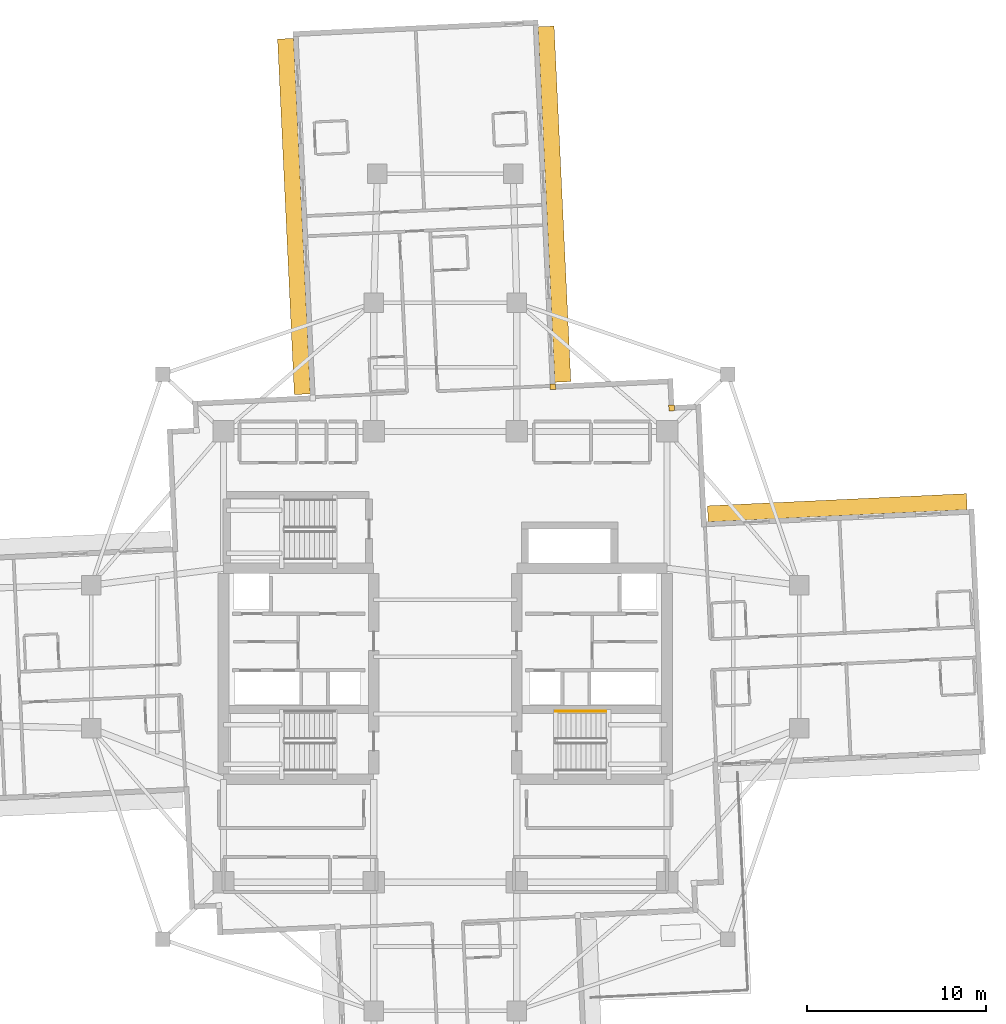
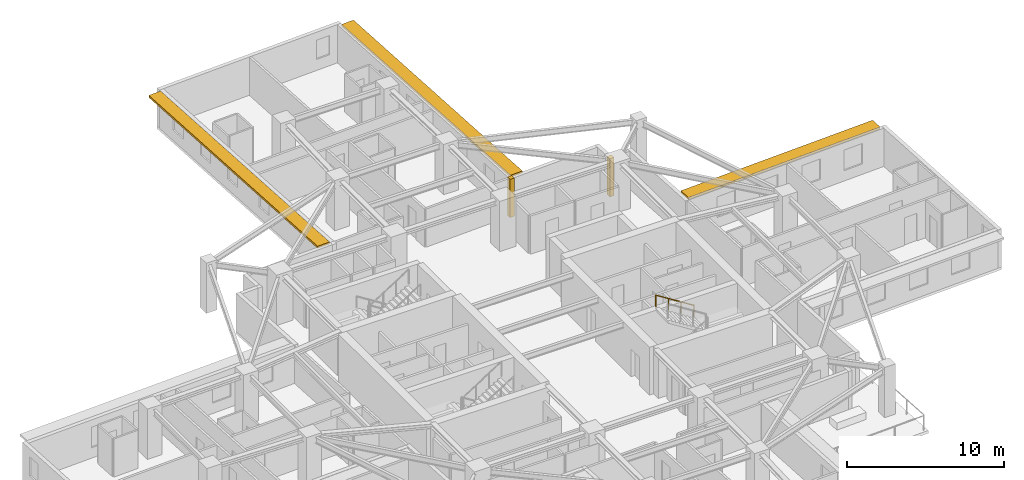
# One storey, part 14 of 14: 3 shading devices, 2 coverings, 1 railing.
"""IFC4 building model written with IfcOpenShell, lengths in metres."""

from ifc_helpers import new_model, si_unit, direction, frame, origin, origin_2d, place, context, subcontext, project, spatial, rectangle, circle, extrude, material, layer, layer_set, type_object, element, save


model = new_model("IFC4")

# Units and contexts
model_context = context("Model", 3, precision=1e-05, world=origin(), true_north=direction((0.0, 1.0)))
body_context = subcontext(model_context, "Body", "Model", "MODEL_VIEW")
ifc_project = project(units=[si_unit("LENGTHUNIT", "METRE"), si_unit("AREAUNIT", "SQUARE_METRE"), si_unit("VOLUMEUNIT", "CUBIC_METRE"), si_unit("PLANEANGLEUNIT", "RADIAN"), si_unit("MASSUNIT", "GRAM", prefix="KILO")], contexts=[model_context])

# Site, building, storey
site_placement = place(None, origin())
site = spatial("IfcSite", under=ifc_project, at=site_placement, CompositionType="ELEMENT")
building_placement = place(site_placement, origin())
building = spatial("IfcBuilding", under=site, at=building_placement, Name="Qingluan Cross Belvedere", CompositionType="ELEMENT")
storey_placement = place(building_placement, frame((0.0, 0.0, 116.39990234375)))
storey = spatial("IfcBuildingStorey", under=building, at=storey_placement, Name="L29", CompositionType="ELEMENT", Elevation=116.39990234375)

# Coverings
ifc_material_1 = material(Name="Precast concrete C45", Category="concrete")
ifc_layer_1 = layer(ifc_material_1, 0.1201171875, Name="ConcreteSpandrelCladding_120")
ifc_layer_set_1 = layer_set([ifc_layer_1], Name="Precast concrete C45")
covering_type = type_object("IfcCoveringType", Name="ConcreteSpandrelCladding_120", PredefinedType="CLADDING", material=ifc_layer_set_1)
for number, where, z_axis, x_axis, name in (
    (1, (12.65869140625, 13.911865234375, 0.0), (0.0, 0.0, 1.0), (0.998889874962, 0.04710645071, 0.0), "Corner closure L29-NE1"),
    (2, (6.015380859375, 15.10009765625, 0.0), (0.0, 0.0, 1.0), (0.998889874962, 0.04710645071, 0.0), "Corner closure L29-NE2"),
):
    element("IfcCovering", number, at=place(storey_placement, frame(where, z_axis=z_axis, x_axis=x_axis)), inside=storey, type_object=covering_type, Name=name, PredefinedType="CLADDING", context=body_context, shape_type="SweptSolid", body=[
        extrude(rectangle(XDim=0.320068359375, YDim=0.320068359375, at=origin_2d()), origin(), (0.0, 0.0, 1.0), 2.969970703125),
    ])

# Shading devices
ifc_material_2 = material(Name="Precast concrete C45", Category="concrete")
ifc_layer_2 = layer(ifc_material_2, 0.159912109375, Name="ConcreteSunshadeBand_900")
ifc_layer_set_2 = layer_set([ifc_layer_2], Name="Precast concrete C45")
shading_device_type = type_object("IfcShadingDeviceType", Name="ConcreteSunshadeBand_900", PredefinedType="USERDEFINED", material=ifc_layer_set_2)
shading_device_placement = place(storey_placement, frame((21.921875, 8.331787109375, 2.7900390625), z_axis=(0.0, 0.0, 1.0), x_axis=(-0.998889750114, -0.047109098032, 0.0)))
element("IfcShadingDevice", 3, at=shading_device_placement, inside=storey, type_object=shading_device_type, Name="Concrete SUNSHADE L29-EB", ObjectType="SUNSHADE", PredefinedType="USERDEFINED", context=body_context, shape_type="SweptSolid", body=[
    extrude(rectangle(XDim=14.5, YDim=0.89990234375, at=origin_2d()), origin(), (0.0, 0.0, 1.0), 0.159912109375),
])
for number, where, z_axis, x_axis, name in (
    (4, (6.104736328125, 25.3056640625, 2.7900390625), (0.0, 0.0, 1.0), (-0.04710941444, 0.998889735192, 0.0), "Concrete SUNSHADE L29-NA"),
    (5, (-8.458984375, 24.618896484375, 2.7900390625), (0.0, 0.0, 1.0), (0.047104684445, -0.998889958255, 0.0), "Concrete SUNSHADE L29-NB"),
):
    element("IfcShadingDevice", number, at=place(storey_placement, frame(where, z_axis=z_axis, x_axis=x_axis)), inside=storey, type_object=shading_device_type, Name=name, ObjectType="SUNSHADE", PredefinedType="USERDEFINED", context=body_context, shape_type="SweptSolid", body=[
        extrude(rectangle(XDim=19.89990234375, YDim=0.89990234375, at=origin_2d()), origin(), (0.0, 0.0, 1.0), 0.159912109375),
    ])

# Railing
ifc_material_3 = material(Name="Brushed stainless steel tubular handrail", Category="steel")
railing_type = type_object("IfcRailingType", Name="StairPitchHandrail_900", PredefinedType="HANDRAIL", material=ifc_material_3)
railing_placement = place(storey_placement, frame((8.97998046875, -3.050048828125, 2.12744140625)))
element("IfcRailing", 6, at=railing_placement, inside=storey, type_object=railing_type, Name="L29 ST2 stair handrail 2", PredefinedType="HANDRAIL", context=body_context, shape_type="SweptSolid", body=[
    extrude(circle(Radius=0.02392578125, at=origin_2d()), frame((0.0, 0.0, 0.8759765625), z_axis=(-0.844908973607, 0.0, 0.534910110503), x_axis=(0.0, -1.0, 0.0)), (0.0, 0.0, 1.0), 3.31396484375),
    extrude(circle(Radius=0.02099609375, at=origin_2d()), origin(), (0.0, 0.0, 1.0), 0.851806640625),
    extrude(circle(Radius=0.02099609375, at=origin_2d()), frame((-0.933349609375, 0.0, 0.5908203125)), (0.0, 0.0, 1.0), 0.851806640625),
    extrude(circle(Radius=0.02099609375, at=origin_2d()), frame((-1.86669921875, 0.0, 1.181884765625)), (0.0, 0.0, 1.0), 0.851806640625),
    extrude(circle(Radius=0.02099609375, at=origin_2d()), frame((-2.800048828125, 0.0, 1.772705078125)), (0.0, 0.0, 1.0), 0.851806640625),
])

save(model, "model.ifc")
